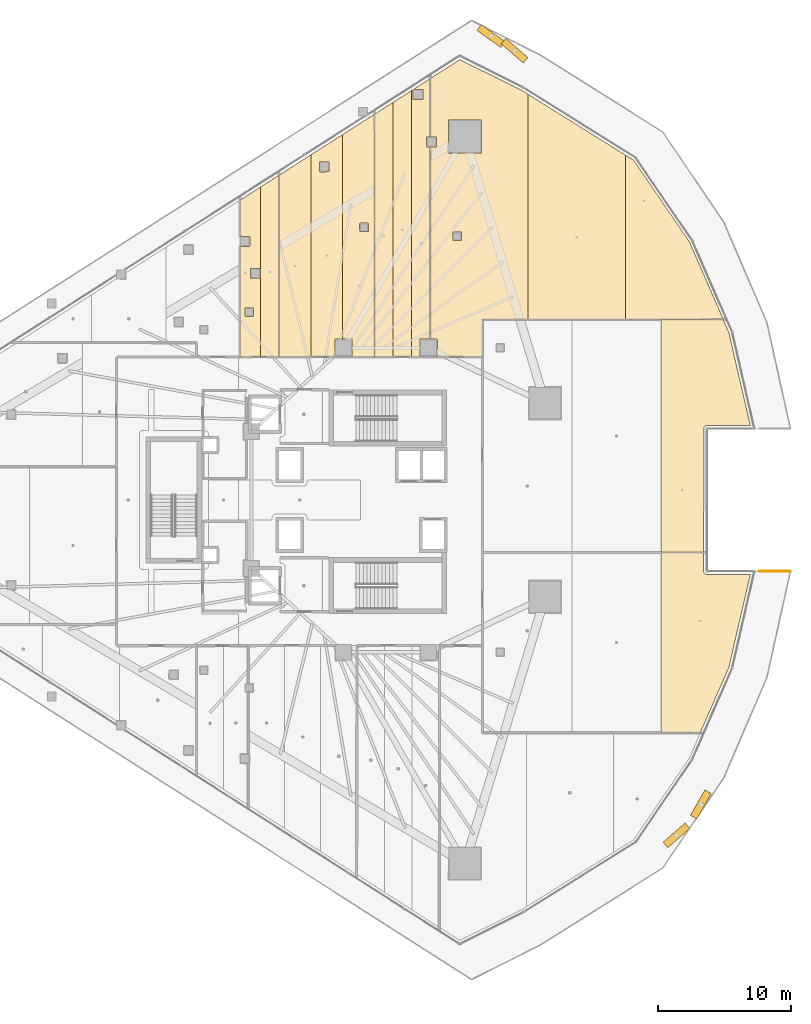
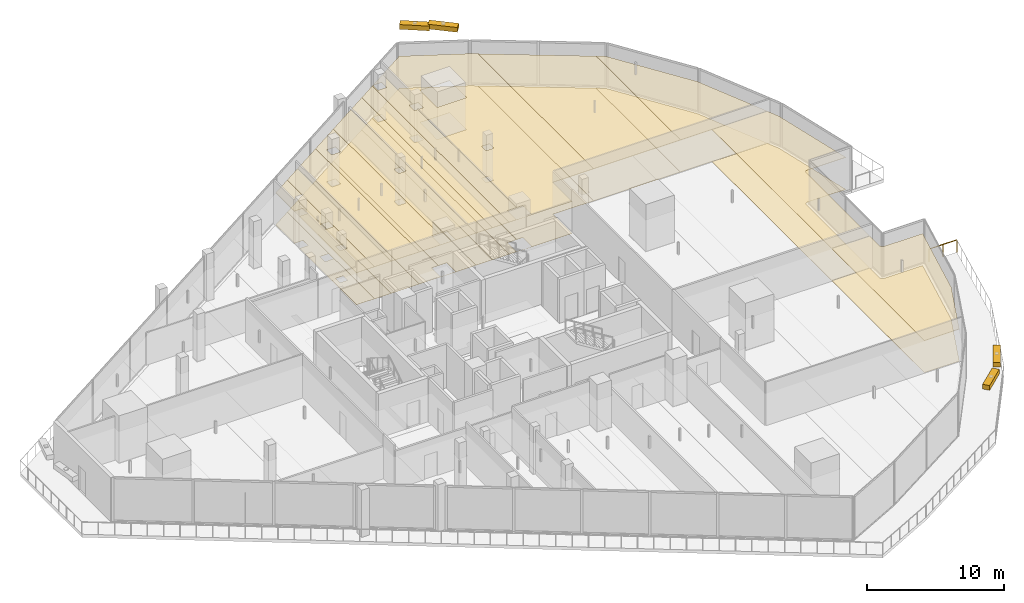
# One storey, part 44 of 44: 26 coverings, 4 shading devices, 1 railing.
"""IFC4 building model written with IfcOpenShell, lengths in metres."""

import ifcopenshell
import ifcopenshell.guid

model = None  # the IFC model being written
_history = None  # IfcOwnerHistory: only IFC2X3 demands one
_inside = {}  # id of a spatial element -> (the spatial element, [elements in it])
_under = {}  # id of a project, library or spatial element -> (it, [spatial elements below it])
_declared = {}  # id of a project -> (the project, [libraries it declares])
_typed = {}  # id of a type object -> (the type object, [elements of that type])
_made_of = {}  # id of a material, layer set ... -> (it, [elements and type objects made of it])


def new_model(schema):
    """Start an empty IFC model of exactly this schema.

    Asked for "IFC4X3", IfcOpenShell would pick the latest addendum, in which some entities
    have other attributes; the version numbers below select the first issue.
    IFC2X3 requires an IfcOwnerHistory on every rooted entity: one is made here for all.
    """
    global model, _history
    if schema == "IFC4X3":
        model = ifcopenshell.file(schema_version=(4, 3, 0, 0))
    else:
        model = ifcopenshell.file(schema=schema)
    _inside.clear()
    _under.clear()
    _declared.clear()
    _typed.clear()
    _made_of.clear()
    _history = None
    if model.schema == "IFC2X3":
        org = make("IfcOrganization", Name="unknown")
        user = make(
            "IfcPersonAndOrganization",
            ThePerson=make("IfcPerson", FamilyName="unknown"),
            TheOrganization=org,
        )
        app = make(
            "IfcApplication",
            ApplicationDeveloper=org,
            Version="unknown",
            ApplicationFullName="unknown",
            ApplicationIdentifier="unknown",
        )
        _history = make(
            "IfcOwnerHistory",
            OwningUser=user,
            OwningApplication=app,
            ChangeAction="ADDED",
            CreationDate=0,
        )
    return model


def make(cls, **values):
    """One entity of the class cls with the attributes given. An attribute that is None is left unset."""
    return model.create_entity(
        cls, **{name: value for name, value in values.items() if value is not None}
    )


def rooted(cls, **values):
    """An entity with a GlobalId (a new one), such as an element, a storey or a relation."""
    return make(cls, GlobalId=ifcopenshell.guid.new(), OwnerHistory=_history, **values)


def si_unit(unit_type, name, prefix=None):
    """IfcSIUnit, for example si_unit("LENGTHUNIT", "METRE", prefix="MILLI")."""
    return make("IfcSIUnit", UnitType=unit_type, Prefix=prefix, Name=name)


def assignment(units):
    """IfcUnitAssignment: the units of a project."""
    return None if units is None else make("IfcUnitAssignment", Units=units)


def point(xyz):
    """IfcCartesianPoint."""
    return None if xyz is None else make("IfcCartesianPoint", Coordinates=xyz)


def direction(xyz):
    """IfcDirection."""
    return None if xyz is None else make("IfcDirection", DirectionRatios=xyz)


def frame(location, z_axis=None, x_axis=None):
    """IfcAxis2Placement3D, a coordinate frame: its origin and axes. An axis left out is left unset."""
    return make(
        "IfcAxis2Placement3D",
        Location=point(location),
        Axis=direction(z_axis),
        RefDirection=direction(x_axis),
    )


def frame_2d(location, x_axis=None):
    """IfcAxis2Placement2D, a coordinate frame in the plane: its origin and x axis."""
    return make(
        "IfcAxis2Placement2D", Location=point(location), RefDirection=direction(x_axis)
    )


def origin():
    """The frame at (0, 0, 0) with its axes left unset."""
    return frame((0.0, 0.0, 0.0))


def origin_2d():
    """The frame at (0, 0) in the plane with its x axis left unset."""
    return frame_2d((0.0, 0.0))


def place(relative_to, where):
    """IfcLocalPlacement: puts the frame where relative to a parent placement (None: the world)."""
    return make(
        "IfcLocalPlacement", PlacementRelTo=relative_to, RelativePlacement=where
    )


def context(
    kind, dimensions, precision=None, world=None, true_north=None, identifier=None
):
    """IfcGeometricRepresentationContext, for example the 3D "Model" context."""
    return make(
        "IfcGeometricRepresentationContext",
        ContextIdentifier=identifier,
        ContextType=kind,
        CoordinateSpaceDimension=dimensions,
        Precision=precision,
        WorldCoordinateSystem=world,
        TrueNorth=true_north,
    )


def subcontext(parent, identifier, kind, view, scale=None):
    """IfcGeometricRepresentationSubContext, for example "Body" below "Model"."""
    return make(
        "IfcGeometricRepresentationSubContext",
        ContextIdentifier=identifier,
        ContextType=kind,
        ParentContext=parent,
        TargetScale=scale,
        TargetView=view,
    )


def project(units=None, contexts=None):
    """IfcProject with its units and contexts."""
    return rooted(
        "IfcProject",
        Name="project",
        RepresentationContexts=contexts,
        UnitsInContext=assignment(units),
    )


def spatial(cls, under=None, at=None, **own):
    """A site, building, storey or space (cls), placed at a placement, below another one or the project."""
    s = rooted(cls, ObjectPlacement=at, **own)
    if under is not None:
        _under.setdefault(under.id(), (under, []))[1].append(s)
    return s


def polyline(points):
    """IfcPolyline through the points."""
    return make("IfcPolyline", Points=[point(p) for p in points])


def profile(cls, at=None, kind="AREA", **sizes):
    """A parametric profile (cls). Its sizes go by their IFC names, for example OverallWidth=200.0."""
    return make(cls, ProfileType=kind, Position=at, **sizes)


def rectangle(**sizes):
    """IfcRectangleProfileDef."""
    return profile("IfcRectangleProfileDef", **sizes)


def circle(**sizes):
    """IfcCircleProfileDef."""
    return profile("IfcCircleProfileDef", **sizes)


def outline(outer, holes=None, kind="AREA"):
    """IfcArbitraryClosedProfileDef: a profile drawn as a closed curve; with holes, ...WithVoids."""
    if holes is None:
        return make("IfcArbitraryClosedProfileDef", ProfileType=kind, OuterCurve=outer)
    return make(
        "IfcArbitraryProfileDefWithVoids",
        ProfileType=kind,
        OuterCurve=outer,
        InnerCurves=holes,
    )


def extrude(swept, where, along, depth):
    """IfcExtrudedAreaSolid: the profile swept, set in the frame where, extruded along a direction by depth."""
    return make(
        "IfcExtrudedAreaSolid",
        SweptArea=swept,
        Position=where,
        ExtrudedDirection=direction(along),
        Depth=depth,
    )


def shape(context_of_items, identifier, shape_type, items):
    """IfcShapeRepresentation: the items that make up one representation, for example the "Body"."""
    return make(
        "IfcShapeRepresentation",
        ContextOfItems=context_of_items,
        RepresentationIdentifier=identifier,
        RepresentationType=shape_type,
        Items=items,
    )


def material(Name=None, Category=None):
    """IfcMaterial."""
    return make("IfcMaterial", Name=Name, Category=Category)


def layer(
    of_material, thickness, ventilated=None, Name=None, Category=None, Priority=None
):
    """IfcMaterialLayer: one layer of a wall or slab, of a material (None: an air gap)."""
    return make(
        "IfcMaterialLayer",
        Material=of_material,
        LayerThickness=thickness,
        IsVentilated=ventilated,
        Name=Name,
        Category=Category,
        Priority=Priority,
    )


def layer_set(layers, Name=None):
    """IfcMaterialLayerSet."""
    return make("IfcMaterialLayerSet", MaterialLayers=layers, LayerSetName=Name)


def made_of(thing, what):
    """Note that an element or type object is made of a material, layer set ...; save() writes the relation."""
    if what is not None:
        _made_of.setdefault(what.id(), (what, []))[1].append(thing)
    return thing


def type_object(cls, material=None, **own):
    """A type object (cls), such as IfcWallType, which elements share."""
    return made_of(rooted(cls, **own), material)


def element(
    cls,
    number,
    at=None,
    inside=None,
    cuts=None,
    type_object=None,
    material=None,
    context=None,
    identifier="Body",
    shape_type=None,
    held_by="IfcProductDefinitionShape",
    body=None,
    shapes=None,
    **own,
):
    """One element of the class cls, such as IfcWall. Its Tag is "e" and its number.

    at: its placement. inside: the storey or other place that contains it. cuts: it is an
    opening in that element (IfcRelVoidsElement). A single representation is given by context,
    identifier, shape_type and body (its items); several are given by shapes. held_by: the class
    of the entity that holds the representations. save() writes the other relations.
    """
    e = rooted(cls, Tag="e%d" % number, ObjectPlacement=at, **own)
    if body is not None:
        shapes = [shape(context, identifier, shape_type, body)]
    if shapes is not None:
        e.Representation = make(held_by, Representations=shapes)
    if inside is not None:
        _inside.setdefault(inside.id(), (inside, []))[1].append(e)
    if cuts is not None:
        rooted(
            "IfcRelVoidsElement", RelatingBuildingElement=cuts, RelatedOpeningElement=e
        )
    if type_object is not None:
        _typed.setdefault(type_object.id(), (type_object, []))[1].append(e)
    return made_of(e, material)


def aggregate(whole, parts):
    """IfcRelAggregates: a whole, such as a stair, and the parts it consists of."""
    return rooted("IfcRelAggregates", RelatingObject=whole, RelatedObjects=parts)


def save(model, path):
    """Write the relations noted so far, then the file.

    IfcRelAggregates (storeys below a building ...), IfcRelContainedInSpatialStructure (elements
    in a storey), IfcRelDefinesByType, IfcRelAssociatesMaterial and IfcRelDeclares: one each for
    every whole, place, type object, material and project.
    """
    for whole, parts in _under.values():
        aggregate(whole, parts)
    for where, things in _inside.values():
        rooted(
            "IfcRelContainedInSpatialStructure",
            RelatedElements=things,
            RelatingStructure=where,
        )
    for kind, things in _typed.values():
        rooted("IfcRelDefinesByType", RelatedObjects=things, RelatingType=kind)
    for what, things in _made_of.values():
        rooted("IfcRelAssociatesMaterial", RelatedObjects=things, RelatingMaterial=what)
    for by, libraries in _declared.values():
        rooted("IfcRelDeclares", RelatingContext=by, RelatedDefinitions=libraries)
    model.write(path)


model = new_model("IFC4")

# Units and contexts
model_context = context("Model", 3, precision=1e-05, world=origin(), true_north=direction((0.0, 1.0)))
body_context = subcontext(model_context, "Body", "Model", "MODEL_VIEW")
ifc_project = project(units=[si_unit("LENGTHUNIT", "METRE"), si_unit("AREAUNIT", "SQUARE_METRE"), si_unit("VOLUMEUNIT", "CUBIC_METRE"), si_unit("PLANEANGLEUNIT", "RADIAN"), si_unit("MASSUNIT", "GRAM", prefix="KILO")], contexts=[model_context])

# Site, building, storey
site_placement = place(None, origin())
site = spatial("IfcSite", under=ifc_project, at=site_placement, CompositionType="ELEMENT")
building_placement = place(site_placement, origin())
building = spatial("IfcBuilding", under=site, at=building_placement, Name="Qorvath Tower", CompositionType="ELEMENT")
storey_placement = place(building_placement, frame((0.0, 0.0, 45.0)))
storey = spatial("IfcBuildingStorey", under=building, at=storey_placement, Name="L09", CompositionType="ELEMENT", Elevation=45.0)

# Coverings
ifc_material_1 = material(Name="Acoustic mineral fibre ceiling tile", Category="gypsum")
ifc_layer_1 = layer(ifc_material_1, 0.030029296875)
ifc_layer_set_1 = layer_set([ifc_layer_1], Name="COV-CEIL")
covering_type_1 = type_object("IfcCoveringType", Name="COV-CEIL", PredefinedType="CEILING", material=ifc_layer_set_1)
covering_1_placement = place(storey_placement, frame((0.0, 0.0, 2.85009765625)))
element("IfcCovering", 1, at=covering_1_placement, inside=storey, type_object=covering_type_1, Name="L09 Suspended Acoustic Ceiling 011", PredefinedType="CEILING", context=body_context, shape_type="SweptSolid", body=[
    extrude(outline(polyline([(-31.36279296875, 10.762939453125), (-29.834716796875, 10.762939453125), (-29.834716796875, 23.537109375), (-31.36279296875, 22.560302734375), (-31.36279296875, 19.83642578125), (-30.648681640625, 19.827880859375), (-30.631103515625, 19.135498046875), (-30.691162109375, 19.075439453125), (-31.36279296875, 19.08447265625), (-31.36279296875, 10.762939453125)]), holes=[polyline([(-30.60986328125, 16.734619140625), (-30.59228515625, 17.427001953125), (-29.857421875, 17.427001953125), (-29.857421875, 16.692138671875), (-30.5498046875, 16.674560546875), (-30.60986328125, 16.734619140625)]), polyline([(-31.01220703125, 13.849365234375), (-30.99462890625, 14.441650390625), (-30.35986328125, 14.441650390625), (-30.35986328125, 13.806884765625), (-30.9521484375, 13.789306640625), (-31.01220703125, 13.849365234375)])]), origin(), (0.0, 0.0, 1.0), 0.030029296875),
])
covering_2_placement = place(storey_placement, frame((0.0, 0.0, 2.85009765625)))
element("IfcCovering", 2, at=covering_2_placement, inside=storey, type_object=covering_type_1, Name="L09 Suspended Acoustic Ceiling 012", PredefinedType="CEILING", context=body_context, shape_type="SweptSolid", body=[
    extrude(outline(polyline([(-29.834716796875, 23.537109375), (-29.834716796875, 10.762939453125), (-28.4423828125, 10.762939453125), (-28.4423828125, 24.427001953125), (-29.834716796875, 23.537109375)])), origin(), (0.0, 0.0, 1.0), 0.030029296875),
])
covering_3_placement = place(storey_placement, frame((0.0, 0.0, 2.85009765625)))
element("IfcCovering", 3, at=covering_3_placement, inside=storey, type_object=covering_type_1, Name="L09 Suspended Acoustic Ceiling 013", PredefinedType="CEILING", context=body_context, shape_type="SweptSolid", body=[
    extrude(outline(polyline([(-26.043701171875, 10.762939453125), (-26.043701171875, 25.960205078125), (-28.42431640625, 24.4384765625), (-28.42431640625, 10.762939453125), (-26.043701171875, 10.762939453125)])), origin(), (0.0, 0.0, 1.0), 0.030029296875),
])
covering_4_placement = place(storey_placement, frame((0.0, 0.0, 2.85009765625)))
element("IfcCovering", 4, at=covering_4_placement, inside=storey, type_object=covering_type_1, Name="L09 Suspended Acoustic Ceiling 014", PredefinedType="CEILING", context=body_context, shape_type="SweptSolid", body=[
    extrude(outline(polyline([(-23.662841796875, 10.762939453125), (-23.662841796875, 10.797607421875), (-24.199951171875, 10.7900390625), (-24.260009765625, 10.85009765625), (-24.242431640625, 12.092529296875), (-23.662841796875, 12.092529296875), (-23.662841796875, 27.48193359375), (-26.043701171875, 25.960205078125), (-26.043701171875, 10.762939453125), (-23.662841796875, 10.762939453125)]), holes=[polyline([(-25.422607421875, 24.73388671875), (-25.405029296875, 25.42626953125), (-24.670166015625, 25.42626953125), (-24.670166015625, 24.69140625), (-25.362548828125, 24.673828125), (-25.422607421875, 24.73388671875)])]), origin(), (0.0, 0.0, 1.0), 0.030029296875),
])
covering_5_placement = place(storey_placement, frame((0.0, 0.0, 2.85009765625)))
element("IfcCovering", 5, at=covering_5_placement, inside=storey, type_object=covering_type_1, Name="L09 Suspended Acoustic Ceiling 015", PredefinedType="CEILING", context=body_context, shape_type="SweptSolid", body=[
    extrude(outline(polyline([(-21.281982421875, 10.762939453125), (-21.285400390625, 29.00146484375), (-23.662841796875, 27.48193359375), (-23.662841796875, 12.092529296875), (-22.95751953125, 12.092529296875), (-22.95751953125, 10.8076171875), (-23.662841796875, 10.797607421875), (-23.662841796875, 10.762939453125), (-21.281982421875, 10.762939453125)]), holes=[polyline([(-22.38818359375, 20.77001953125), (-22.328125, 20.829833984375), (-21.73583984375, 20.812255859375), (-21.73583984375, 20.177490234375), (-22.37060546875, 20.177490234375), (-22.38818359375, 20.77001953125)])]), origin(), (0.0, 0.0, 1.0), 0.030029296875),
])
covering_6_placement = place(storey_placement, frame((0.0, 0.0, 2.85009765625)))
element("IfcCovering", 6, at=covering_6_placement, inside=storey, type_object=covering_type_1, Name="L09 Suspended Acoustic Ceiling 016", PredefinedType="CEILING", context=body_context, shape_type="SweptSolid", body=[
    extrude(outline(polyline([(-19.86962890625, 10.762939453125), (-19.86962890625, 29.906005859375), (-21.267333984375, 29.0126953125), (-21.26416015625, 10.762939453125), (-19.86962890625, 10.762939453125)])), origin(), (0.0, 0.0, 1.0), 0.030029296875),
])
covering_7_placement = place(storey_placement, frame((0.0, 0.0, 2.85009765625)))
element("IfcCovering", 7, at=covering_7_placement, inside=storey, type_object=covering_type_1, Name="L09 Suspended Acoustic Ceiling 017", PredefinedType="CEILING", context=body_context, shape_type="SweptSolid", body=[
    extrude(outline(polyline([(-18.4716796875, 10.762939453125), (-18.4716796875, 30.799560546875), (-19.86962890625, 29.906005859375), (-19.86962890625, 10.762939453125), (-18.4716796875, 10.762939453125)])), origin(), (0.0, 0.0, 1.0), 0.030029296875),
])
covering_8_placement = place(storey_placement, frame((0.0, 0.0, 2.85009765625)))
element("IfcCovering", 8, at=covering_8_placement, inside=storey, type_object=covering_type_1, Name="L09 Suspended Acoustic Ceiling 018", PredefinedType="CEILING", context=body_context, shape_type="SweptSolid", body=[
    extrude(outline(polyline([(-17.30615234375, 27.314208984375), (-17.073974609375, 27.314208984375), (-17.073974609375, 31.69287109375), (-18.361572265625, 30.869873046875), (-17.632568359375, 30.867431640625), (-17.632568359375, 30.132568359375), (-18.367431640625, 30.132568359375), (-18.3681640625, 30.86572265625), (-18.4716796875, 30.799560546875), (-18.4716796875, 10.762939453125), (-17.073974609375, 10.762939453125), (-17.800048828125, 10.7900390625), (-17.860107421875, 10.85009765625), (-17.842529296875, 12.092529296875), (-17.073974609375, 12.110107421875), (-17.073974609375, 26.544189453125), (-17.30615234375, 26.544189453125), (-17.3662109375, 26.604248046875), (-17.3662109375, 27.254150390625), (-17.30615234375, 27.314208984375)])), origin(), (0.0, 0.0, 1.0), 0.030029296875),
])
covering_9_placement = place(storey_placement, frame((0.0, 0.0, 2.85009765625)))
element("IfcCovering", 9, at=covering_9_placement, inside=storey, type_object=covering_type_1, Name="L09 Suspended Acoustic Ceiling 019", PredefinedType="CEILING", context=body_context, shape_type="SweptSolid", body=[
    extrude(outline(polyline([(-16.65625, 26.544189453125), (-17.055908203125, 26.544189453125), (-17.055908203125, 12.110107421875), (-16.60009765625, 12.110107421875), (-16.5400390625, 12.050048828125), (-16.5400390625, 10.85009765625), (-16.60009765625, 10.7900390625), (-17.055908203125, 10.762939453125), (-13.155029296875, 10.762939453125), (-13.14990234375, 13.57177734375), (-9.715576171875, 13.575927734375), (-9.715576171875, 30.509765625), (-10.205810546875, 30.81591796875), (-14.8486328125, 33.114990234375), (-17.055908203125, 31.704345703125), (-17.055908203125, 27.314208984375), (-16.61376953125, 27.296630859375), (-16.59619140625, 26.604248046875), (-16.65625, 26.544189453125)]), holes=[polyline([(-15.724365234375, 26.130615234375), (-15.706787109375, 28.5732421875), (-13.221923828125, 28.5732421875), (-13.221923828125, 26.08837890625), (-15.664306640625, 26.07080078125), (-15.724365234375, 26.130615234375)]), polyline([(-15.381103515625, 20.093017578125), (-15.321044921875, 20.153076171875), (-14.728759765625, 20.135498046875), (-14.728759765625, 19.500732421875), (-15.363525390625, 19.500732421875), (-15.381103515625, 20.093017578125)])]), origin(), (0.0, 0.0, 1.0), 0.030029296875),
])
covering_10_placement = place(storey_placement, frame((0.0, 0.0, 2.85009765625)))
element("IfcCovering", 10, at=covering_10_placement, inside=storey, type_object=covering_type_1, Name="L09 Suspended Acoustic Ceiling 020", PredefinedType="CEILING", context=body_context, shape_type="SweptSolid", body=[
    extrude(outline(polyline([(-9.715576171875, 30.509765625), (-9.715576171875, 13.575927734375), (-2.375244140625, 13.5849609375), (-2.375244140625, 25.924560546875), (-9.715576171875, 30.509765625)])), origin(), (0.0, 0.0, 1.0), 0.030029296875),
])
covering_11_placement = place(storey_placement, frame((0.0, 0.0, 2.85009765625)))
element("IfcCovering", 11, at=covering_11_placement, inside=storey, type_object=covering_type_1, Name="L09 Suspended Acoustic Ceiling 021", PredefinedType="CEILING", context=body_context, shape_type="SweptSolid", body=[
    extrude(outline(polyline([(-2.375244140625, 25.924560546875), (-2.375244140625, 13.5849609375), (4.965087890625, 13.593994140625), (2.416748046875, 19.414794921875), (-1.770751953125, 25.547119140625), (-2.375244140625, 25.924560546875)])), origin(), (0.0, 0.0, 1.0), 0.030029296875),
])
covering_12_placement = place(storey_placement, frame((0.0, 0.0, 2.85009765625)))
element("IfcCovering", 12, at=covering_12_placement, inside=storey, type_object=covering_type_1, Name="L09 Suspended Acoustic Ceiling 035", PredefinedType="CEILING", context=body_context, shape_type="SweptSolid", body=[
    extrude(outline(polyline([(3.580078125, -5.552734375), (3.492919921875, -5.405517578125), (3.488037109375, -3.9462890625), (0.283447265625, -3.9462890625), (0.283447265625, -17.496337890625), (3.235107421875, -17.49658203125), (5.3876953125, -12.581787109375), (6.99365234375, -5.61181640625), (3.718505859375, -5.610595703125), (3.580078125, -5.552734375)])), origin(), (0.0, 0.0, 1.0), 0.030029296875),
])
covering_13_placement = place(storey_placement, frame((0.0, 0.0, 2.85009765625)))
element("IfcCovering", 13, at=covering_13_placement, inside=storey, type_object=covering_type_1, Name="L09 Suspended Acoustic Ceiling 038", PredefinedType="CEILING", context=body_context, shape_type="SweptSolid", body=[
    extrude(outline(polyline([(3.741455078125, 5.611572265625), (6.99365234375, 5.61181640625), (5.3876953125, 12.581787109375), (4.9521484375, 13.576171875), (0.283447265625, 13.5703125), (0.283447265625, -3.92822265625), (3.488037109375, -3.92822265625), (3.507080078125, 5.452392578125), (3.600341796875, 5.56787109375), (3.741455078125, 5.611572265625)])), origin(), (0.0, 0.0, 1.0), 0.030029296875),
])
ifc_material_2 = material(Name="Low-VOC modular carpet tile", Category="textile")
ifc_layer_2 = layer(ifc_material_2, 0.014892578125)
ifc_layer_set_2 = layer_set([ifc_layer_2], Name="COV-FLOOR-CPT")
covering_type_2 = type_object("IfcCoveringType", Name="COV-FLOOR-CPT", PredefinedType="FLOORING", material=ifc_layer_set_2)
covering_14_placement = place(storey_placement, origin())
element("IfcCovering", 14, at=covering_14_placement, inside=storey, type_object=covering_type_2, Name="L09 Floor Finish 011", PredefinedType="FLOORING", context=body_context, shape_type="SweptSolid", body=[
    extrude(outline(polyline([(-31.36279296875, 10.762939453125), (-29.834716796875, 10.762939453125), (-29.834716796875, 23.537109375), (-31.36279296875, 22.560302734375), (-31.36279296875, 19.83642578125), (-30.648681640625, 19.827880859375), (-30.631103515625, 19.135498046875), (-30.691162109375, 19.075439453125), (-31.36279296875, 19.08447265625), (-31.36279296875, 10.762939453125)]), holes=[polyline([(-30.60986328125, 16.734619140625), (-30.59228515625, 17.427001953125), (-29.857421875, 17.427001953125), (-29.857421875, 16.692138671875), (-30.5498046875, 16.674560546875), (-30.60986328125, 16.734619140625)]), polyline([(-31.01220703125, 13.849365234375), (-30.99462890625, 14.441650390625), (-30.35986328125, 14.441650390625), (-30.35986328125, 13.806884765625), (-30.9521484375, 13.789306640625), (-31.01220703125, 13.849365234375)])]), origin(), (0.0, 0.0, 1.0), 0.014892578125),
])
covering_15_placement = place(storey_placement, origin())
element("IfcCovering", 15, at=covering_15_placement, inside=storey, type_object=covering_type_2, Name="L09 Floor Finish 012", PredefinedType="FLOORING", context=body_context, shape_type="SweptSolid", body=[
    extrude(outline(polyline([(-29.834716796875, 23.537109375), (-29.834716796875, 10.762939453125), (-28.4423828125, 10.762939453125), (-28.4423828125, 24.427001953125), (-29.834716796875, 23.537109375)])), origin(), (0.0, 0.0, 1.0), 0.014892578125),
])
covering_16_placement = place(storey_placement, origin())
element("IfcCovering", 16, at=covering_16_placement, inside=storey, type_object=covering_type_2, Name="L09 Floor Finish 013", PredefinedType="FLOORING", context=body_context, shape_type="SweptSolid", body=[
    extrude(outline(polyline([(-26.043701171875, 10.762939453125), (-26.043701171875, 25.960205078125), (-28.42431640625, 24.4384765625), (-28.42431640625, 10.762939453125), (-26.043701171875, 10.762939453125)])), origin(), (0.0, 0.0, 1.0), 0.014892578125),
])
covering_17_placement = place(storey_placement, origin())
element("IfcCovering", 17, at=covering_17_placement, inside=storey, type_object=covering_type_2, Name="L09 Floor Finish 014", PredefinedType="FLOORING", context=body_context, shape_type="SweptSolid", body=[
    extrude(outline(polyline([(-23.662841796875, 10.762939453125), (-23.662841796875, 10.797607421875), (-24.199951171875, 10.7900390625), (-24.260009765625, 10.85009765625), (-24.242431640625, 12.092529296875), (-23.662841796875, 12.092529296875), (-23.662841796875, 27.48193359375), (-26.043701171875, 25.960205078125), (-26.043701171875, 10.762939453125), (-23.662841796875, 10.762939453125)]), holes=[polyline([(-25.422607421875, 24.73388671875), (-25.405029296875, 25.42626953125), (-24.670166015625, 25.42626953125), (-24.670166015625, 24.69140625), (-25.362548828125, 24.673828125), (-25.422607421875, 24.73388671875)])]), origin(), (0.0, 0.0, 1.0), 0.014892578125),
])
covering_18_placement = place(storey_placement, origin())
element("IfcCovering", 18, at=covering_18_placement, inside=storey, type_object=covering_type_2, Name="L09 Floor Finish 015", PredefinedType="FLOORING", context=body_context, shape_type="SweptSolid", body=[
    extrude(outline(polyline([(-21.281982421875, 10.762939453125), (-21.285400390625, 29.00146484375), (-23.662841796875, 27.48193359375), (-23.662841796875, 12.092529296875), (-22.95751953125, 12.092529296875), (-22.95751953125, 10.8076171875), (-23.662841796875, 10.797607421875), (-23.662841796875, 10.762939453125), (-21.281982421875, 10.762939453125)]), holes=[polyline([(-22.38818359375, 20.77001953125), (-22.328125, 20.829833984375), (-21.73583984375, 20.812255859375), (-21.73583984375, 20.177490234375), (-22.37060546875, 20.177490234375), (-22.38818359375, 20.77001953125)])]), origin(), (0.0, 0.0, 1.0), 0.014892578125),
])
covering_19_placement = place(storey_placement, origin())
element("IfcCovering", 19, at=covering_19_placement, inside=storey, type_object=covering_type_2, Name="L09 Floor Finish 016", PredefinedType="FLOORING", context=body_context, shape_type="SweptSolid", body=[
    extrude(outline(polyline([(-19.86962890625, 10.762939453125), (-19.86962890625, 29.906005859375), (-21.267333984375, 29.0126953125), (-21.26416015625, 10.762939453125), (-19.86962890625, 10.762939453125)])), origin(), (0.0, 0.0, 1.0), 0.014892578125),
])
covering_20_placement = place(storey_placement, origin())
element("IfcCovering", 20, at=covering_20_placement, inside=storey, type_object=covering_type_2, Name="L09 Floor Finish 017", PredefinedType="FLOORING", context=body_context, shape_type="SweptSolid", body=[
    extrude(outline(polyline([(-18.4716796875, 10.762939453125), (-18.4716796875, 30.799560546875), (-19.86962890625, 29.906005859375), (-19.86962890625, 10.762939453125), (-18.4716796875, 10.762939453125)])), origin(), (0.0, 0.0, 1.0), 0.014892578125),
])
covering_21_placement = place(storey_placement, origin())
element("IfcCovering", 21, at=covering_21_placement, inside=storey, type_object=covering_type_2, Name="L09 Floor Finish 018", PredefinedType="FLOORING", context=body_context, shape_type="SweptSolid", body=[
    extrude(outline(polyline([(-17.30615234375, 27.314208984375), (-17.073974609375, 27.314208984375), (-17.073974609375, 31.69287109375), (-18.361572265625, 30.869873046875), (-17.632568359375, 30.867431640625), (-17.632568359375, 30.132568359375), (-18.367431640625, 30.132568359375), (-18.3681640625, 30.86572265625), (-18.4716796875, 30.799560546875), (-18.4716796875, 10.762939453125), (-17.073974609375, 10.762939453125), (-17.800048828125, 10.7900390625), (-17.860107421875, 10.85009765625), (-17.842529296875, 12.092529296875), (-17.073974609375, 12.110107421875), (-17.073974609375, 26.544189453125), (-17.30615234375, 26.544189453125), (-17.3662109375, 26.604248046875), (-17.3662109375, 27.254150390625), (-17.30615234375, 27.314208984375)])), origin(), (0.0, 0.0, 1.0), 0.014892578125),
])
covering_22_placement = place(storey_placement, origin())
element("IfcCovering", 22, at=covering_22_placement, inside=storey, type_object=covering_type_2, Name="L09 Floor Finish 019", PredefinedType="FLOORING", context=body_context, shape_type="SweptSolid", body=[
    extrude(outline(polyline([(-16.65625, 26.544189453125), (-17.055908203125, 26.544189453125), (-17.055908203125, 12.110107421875), (-16.60009765625, 12.110107421875), (-16.5400390625, 12.050048828125), (-16.5400390625, 10.85009765625), (-16.60009765625, 10.7900390625), (-17.055908203125, 10.762939453125), (-13.155029296875, 10.762939453125), (-13.14990234375, 13.57177734375), (-9.715576171875, 13.575927734375), (-9.715576171875, 30.509765625), (-10.205810546875, 30.81591796875), (-14.8486328125, 33.114990234375), (-17.055908203125, 31.704345703125), (-17.055908203125, 27.314208984375), (-16.61376953125, 27.296630859375), (-16.59619140625, 26.604248046875), (-16.65625, 26.544189453125)]), holes=[polyline([(-15.724365234375, 26.130615234375), (-15.706787109375, 28.5732421875), (-13.221923828125, 28.5732421875), (-13.221923828125, 26.08837890625), (-15.664306640625, 26.07080078125), (-15.724365234375, 26.130615234375)]), polyline([(-15.381103515625, 20.093017578125), (-15.321044921875, 20.153076171875), (-14.728759765625, 20.135498046875), (-14.728759765625, 19.500732421875), (-15.363525390625, 19.500732421875), (-15.381103515625, 20.093017578125)])]), origin(), (0.0, 0.0, 1.0), 0.014892578125),
])
covering_23_placement = place(storey_placement, origin())
element("IfcCovering", 23, at=covering_23_placement, inside=storey, type_object=covering_type_2, Name="L09 Floor Finish 020", PredefinedType="FLOORING", context=body_context, shape_type="SweptSolid", body=[
    extrude(outline(polyline([(-9.715576171875, 30.509765625), (-9.715576171875, 13.575927734375), (-2.375244140625, 13.5849609375), (-2.375244140625, 25.924560546875), (-9.715576171875, 30.509765625)])), origin(), (0.0, 0.0, 1.0), 0.014892578125),
])
covering_24_placement = place(storey_placement, origin())
element("IfcCovering", 24, at=covering_24_placement, inside=storey, type_object=covering_type_2, Name="L09 Floor Finish 021", PredefinedType="FLOORING", context=body_context, shape_type="SweptSolid", body=[
    extrude(outline(polyline([(-2.375244140625, 25.924560546875), (-2.375244140625, 13.5849609375), (4.965087890625, 13.593994140625), (2.416748046875, 19.414794921875), (-1.770751953125, 25.547119140625), (-2.375244140625, 25.924560546875)])), origin(), (0.0, 0.0, 1.0), 0.014892578125),
])
covering_25_placement = place(storey_placement, origin())
element("IfcCovering", 25, at=covering_25_placement, inside=storey, type_object=covering_type_2, Name="L09 Floor Finish 035", PredefinedType="FLOORING", context=body_context, shape_type="SweptSolid", body=[
    extrude(outline(polyline([(3.580078125, -5.552734375), (3.492919921875, -5.405517578125), (3.488037109375, -3.9462890625), (0.283447265625, -3.9462890625), (0.283447265625, -17.496337890625), (3.235107421875, -17.49658203125), (5.3876953125, -12.581787109375), (6.99365234375, -5.61181640625), (3.718505859375, -5.610595703125), (3.580078125, -5.552734375)])), origin(), (0.0, 0.0, 1.0), 0.014892578125),
])
covering_26_placement = place(storey_placement, origin())
element("IfcCovering", 26, at=covering_26_placement, inside=storey, type_object=covering_type_2, Name="L09 Floor Finish 038", PredefinedType="FLOORING", context=body_context, shape_type="SweptSolid", body=[
    extrude(outline(polyline([(3.741455078125, 5.611572265625), (6.99365234375, 5.61181640625), (5.3876953125, 12.581787109375), (4.9521484375, 13.576171875), (0.283447265625, 13.5703125), (0.283447265625, -3.92822265625), (3.488037109375, -3.92822265625), (3.507080078125, 5.452392578125), (3.600341796875, 5.56787109375), (3.741455078125, 5.611572265625)])), origin(), (0.0, 0.0, 1.0), 0.014892578125),
])

# Railing
ifc_material_3 = material(Name="Laminated safety glass and stainless steel AISI 316", Category="steel")
railing_type = type_object("IfcRailingType", Name="RL-EXT-GRD", PredefinedType="GUARDRAIL", material=ifc_material_3)
railing_placement = place(storey_placement, frame((7.663818359375, -5.356689453125, 0.0)))
element("IfcRailing", 27, at=railing_placement, inside=storey, type_object=railing_type, Name="Loggia Perimeter Guardrail L09-1.2", PredefinedType="GUARDRAIL", context=body_context, shape_type="SweptSolid", body=[
    extrude(circle(Radius=0.02392578125, at=origin_2d()), frame((0.0, 0.0, 1.09619140625), z_axis=(1.0, 0.0, 0.0), x_axis=(0.0, 1.0, 0.0)), (0.0, 0.0, 1.0), 2.3662109375),
    extrude(circle(Radius=0.02099609375, at=origin_2d()), origin(), (0.0, 0.0, 1.0), 1.072021484375),
    extrude(circle(Radius=0.02099609375, at=origin_2d()), frame((1.18310546875, 0.0, 0.0)), (0.0, 0.0, 1.0), 1.072021484375),
    extrude(circle(Radius=0.02099609375, at=origin_2d()), frame((2.3662109375, 0.0, 0.0)), (0.0, 0.0, 1.0), 1.072021484375),
])

# Shading devices
ifc_material_4 = material(Name="Anodised bronze-champagne aluminium", Category="aluminium")
shading_device_type = type_object("IfcShadingDeviceType", Name="SD-LOUVRE", PredefinedType="JALOUSIE", material=ifc_material_4)
for number, where, z_axis, x_axis, name in (
    (28, (1.443115234375, -25.218994140625, 3.5), (0.0, 0.0, 1.0), (0.75200549541, 0.659156836325, 0.0), "Sinusoidal Wave Louvre Blade L09-03"),
    (29, (3.2763671875, -22.89404296875, 3.5), (0.0, 0.0, 1.0), (0.494762643493, 0.869028150639, 0.0), "Sinusoidal Wave Louvre Blade L09-04"),
    (30, (-10.736328125, 33.79150390625, 3.5), (0.0, 0.0, 1.0), (-0.752465490396, 0.658631676859, 0.0), "Sinusoidal Wave Louvre Blade L09-05"),
    (31, (-12.504638671875, 34.89306640625, 3.5), (0.0, 0.0, 1.0), (-0.815188453442, 0.579195809183, 0.0), "Sinusoidal Wave Louvre Blade L09-06"),
):
    element("IfcShadingDevice", number, at=place(storey_placement, frame(where, z_axis=z_axis, x_axis=x_axis)), inside=storey, type_object=shading_device_type, Name=name, PredefinedType="NOTDEFINED", context=body_context, shape_type="SweptSolid", body=[
        extrude(rectangle(XDim=2.199951171875, YDim=0.550048828125, at=origin_2d()), origin(), (0.0, 0.0, 1.0), 0.419921875),
    ])

save(model, "model.ifc")
